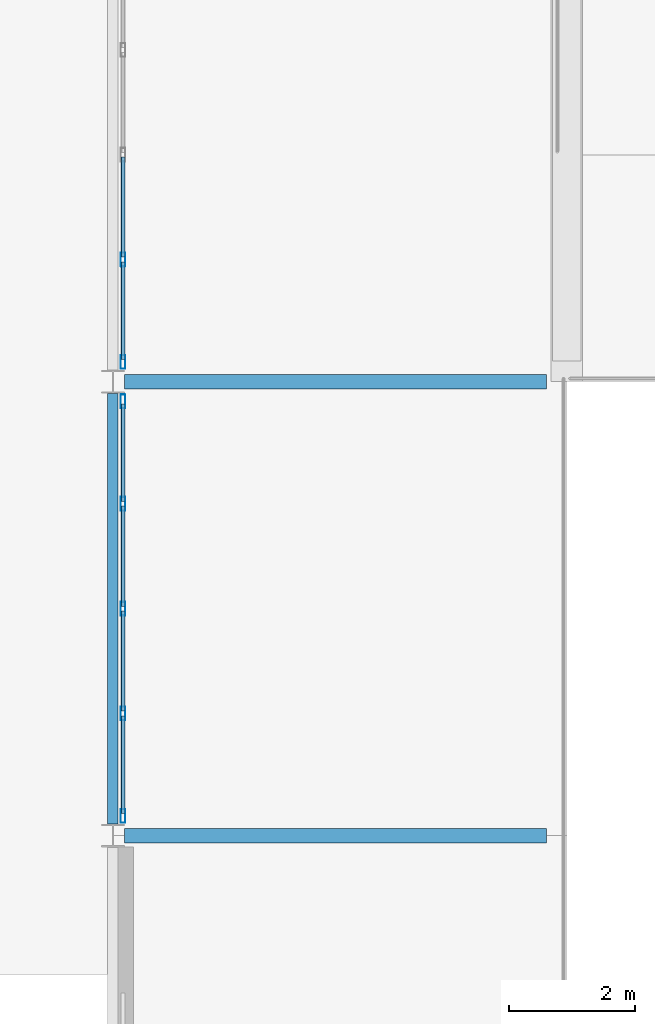
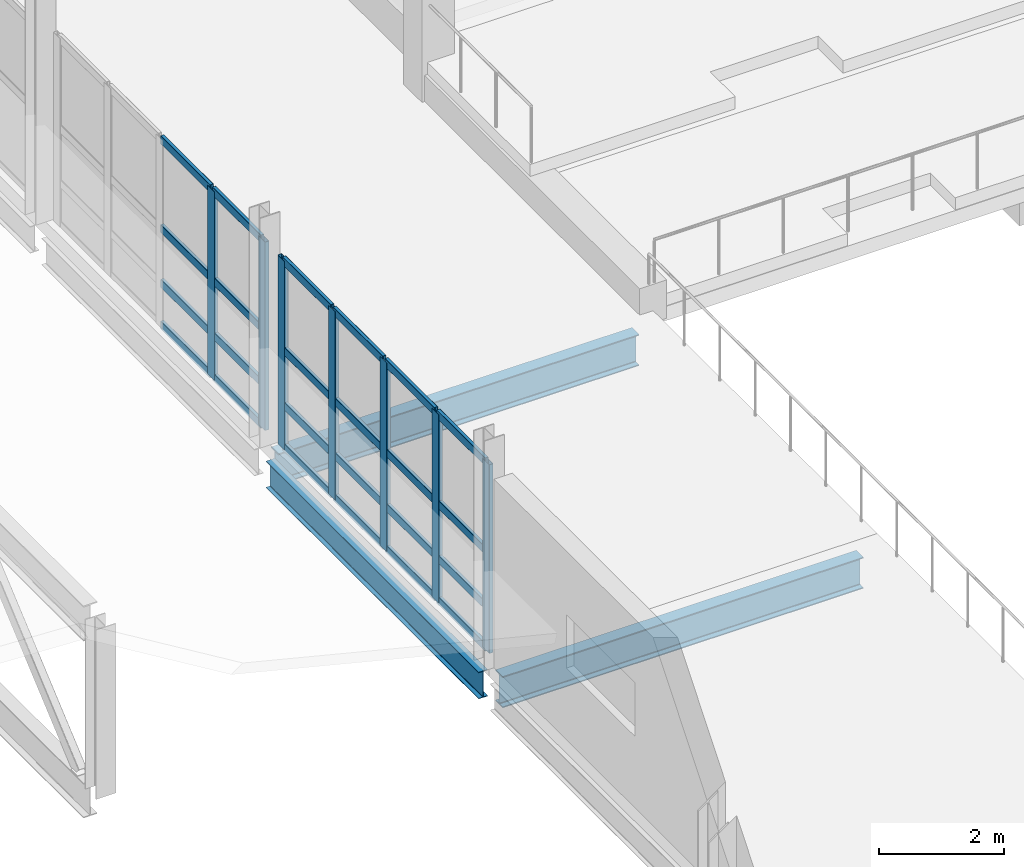
# One storey, part 37 of 123: 31 members, 3 beams, 2 elements without a shape of their own.
"""IFC4 building model written with IfcOpenShell, lengths in metres."""

from ifc_helpers import new_model, si_unit, direction, frame, origin, origin_2d, place, context, subcontext, project, spatial, hollow_rectangle, i_section, extrude, material, material_profile, profile_set, type_object, element, aggregate, save


model = new_model("IFC4")

# Units and contexts
model_context = context("Model", 3, precision=1e-05, world=origin(), true_north=direction((0.0, 1.0)))
body_context = subcontext(model_context, "Body", "Model", "MODEL_VIEW")
ifc_project = project(units=[si_unit("LENGTHUNIT", "METRE"), si_unit("AREAUNIT", "SQUARE_METRE"), si_unit("VOLUMEUNIT", "CUBIC_METRE"), si_unit("PLANEANGLEUNIT", "RADIAN"), si_unit("MASSUNIT", "GRAM", prefix="KILO")], contexts=[model_context])

# Site, building, storey
site_placement = place(None, origin())
site = spatial("IfcSite", under=ifc_project, at=site_placement, CompositionType="ELEMENT")
building_placement = place(site_placement, origin())
building = spatial("IfcBuilding", under=site, at=building_placement, Name="Kalmorath City Hall", CompositionType="ELEMENT")
storey_placement = place(building_placement, frame((0.0, 0.0, 10.199951171875)))
storey = spatial("IfcBuildingStorey", under=building, at=storey_placement, Name="L02", CompositionType="ELEMENT", Elevation=10.199951171875)

# Curtain wall, members
ifc_material_1 = material(Name="Anodised aluminium and laminated glass", Category="aluminium")
curtain_wall_type_1 = type_object("IfcCurtainWallType", Name="Unitised hurricane curtain wall 6651x3696 M1800", PredefinedType="NOTDEFINED", material=ifc_material_1)
curtain_wall_1_placement = place(storey_placement, origin())
curtain_wall_1 = element("IfcCurtainWall", 1, at=curtain_wall_1_placement, inside=storey, type_object=curtain_wall_type_1, Name="L02 curtain wall CW-67X37M18 #121", PredefinedType="NOTDEFINED")
ifc_material_2 = material(Name="Anodised aluminium framing", Category="aluminium")
ifc_material_profile_1 = material_profile(ifc_material_2, hollow_rectangle(XDim=0.074951171875, YDim=0.219970703125, WallThickness=0.00390625, InnerFilletRadius=0.00390625, OuterFilletRadius=0.008056640625, at=origin_2d()), Name="ALU-MUL-220X75X4")
ifc_profile_set_1 = profile_set([ifc_material_profile_1], Name="Anodised aluminium framing")
member_type_1 = type_object("IfcMemberType", Name="Curtain-wall primary mullion 220x75", PredefinedType="MULLION", material=ifc_profile_set_1)
member_1_placement = place(storey_placement, frame((115.360107421875, 21.912109375, 0.0), z_axis=(0.0, 0.0, 1.0), x_axis=(-1.0, 0.0, 0.0)))
member_1 = element("IfcMember", 2, at=member_1_placement, type_object=member_type_1, Name="CW-67X37M18 mullion 1", PredefinedType="MULLION", context=body_context, shape_type="SweptSolid", body=[
    extrude(hollow_rectangle(XDim=0.074951171875, YDim=0.219970703125, WallThickness=0.00390625, InnerFilletRadius=0.00390625, OuterFilletRadius=0.008056640625, at=origin_2d()), origin(), (0.0, 0.0, 1.0), 3.696044921875),
])
member_2_placement = place(storey_placement, frame((115.360107421875, 23.537353515625, 0.0), z_axis=(0.0, 0.0, 1.0), x_axis=(-1.0, 0.0, 0.0)))
member_2 = element("IfcMember", 3, at=member_2_placement, type_object=member_type_1, Name="CW-67X37M18 mullion 2", PredefinedType="MULLION", context=body_context, shape_type="SweptSolid", body=[
    extrude(hollow_rectangle(XDim=0.074951171875, YDim=0.219970703125, WallThickness=0.00390625, InnerFilletRadius=0.00390625, OuterFilletRadius=0.008056640625, at=origin_2d()), origin(), (0.0, 0.0, 1.0), 3.696044921875),
])
member_3_placement = place(storey_placement, frame((115.360107421875, 25.199951171875, 0.0), z_axis=(0.0, 0.0, 1.0), x_axis=(-1.0, 0.0, 0.0)))
member_3 = element("IfcMember", 4, at=member_3_placement, type_object=member_type_1, Name="CW-67X37M18 mullion 3", PredefinedType="MULLION", context=body_context, shape_type="SweptSolid", body=[
    extrude(hollow_rectangle(XDim=0.074951171875, YDim=0.219970703125, WallThickness=0.00390625, InnerFilletRadius=0.00390625, OuterFilletRadius=0.008056640625, at=origin_2d()), origin(), (0.0, 0.0, 1.0), 3.696044921875),
])
member_4_placement = place(storey_placement, frame((115.360107421875, 26.86279296875, 0.0), z_axis=(0.0, 0.0, 1.0), x_axis=(-1.0, 0.0, 0.0)))
member_4 = element("IfcMember", 5, at=member_4_placement, type_object=member_type_1, Name="CW-67X37M18 mullion 4", PredefinedType="MULLION", context=body_context, shape_type="SweptSolid", body=[
    extrude(hollow_rectangle(XDim=0.074951171875, YDim=0.219970703125, WallThickness=0.00390625, InnerFilletRadius=0.00390625, OuterFilletRadius=0.008056640625, at=origin_2d()), origin(), (0.0, 0.0, 1.0), 3.696044921875),
])
member_5_placement = place(storey_placement, frame((115.360107421875, 28.488037109375, 0.0), z_axis=(0.0, 0.0, 1.0), x_axis=(-1.0, 0.0, 0.0)))
member_5 = element("IfcMember", 6, at=member_5_placement, type_object=member_type_1, Name="CW-67X37M18 mullion 5", PredefinedType="MULLION", context=body_context, shape_type="SweptSolid", body=[
    extrude(hollow_rectangle(XDim=0.074951171875, YDim=0.219970703125, WallThickness=0.00390625, InnerFilletRadius=0.00390625, OuterFilletRadius=0.008056640625, at=origin_2d()), origin(), (0.0, 0.0, 1.0), 3.696044921875),
])

ifc_material_3 = material(Name="Anodised aluminium and laminated glass", Category="aluminium")
curtain_wall_type_2 = type_object("IfcCurtainWallType", Name="Unitised hurricane curtain wall 6651x3696 M1500", PredefinedType="NOTDEFINED", material=ifc_material_3)
curtain_wall_2_placement = place(storey_placement, origin())
curtain_wall_2 = element("IfcCurtainWall", 7, at=curtain_wall_2_placement, inside=storey, type_object=curtain_wall_type_2, Name="L02 curtain wall CW-67X37M15 #122", PredefinedType="NOTDEFINED")
member_6_placement = place(storey_placement, frame((115.360107421875, 29.112060546875, 0.0), z_axis=(0.0, 0.0, 1.0), x_axis=(-1.0, 0.0, 0.0)))
member_6 = element("IfcMember", 8, at=member_6_placement, type_object=member_type_1, Name="CW-67X37M15 mullion 1", PredefinedType="MULLION", context=body_context, shape_type="SweptSolid", body=[
    extrude(hollow_rectangle(XDim=0.074951171875, YDim=0.219970703125, WallThickness=0.00390625, InnerFilletRadius=0.00390625, OuterFilletRadius=0.008056640625, at=origin_2d()), origin(), (0.0, 0.0, 1.0), 3.696044921875),
])
member_7_placement = place(storey_placement, frame((115.360107421875, 30.7373046875, 0.0), z_axis=(0.0, 0.0, 1.0), x_axis=(-1.0, 0.0, 0.0)))
member_7 = element("IfcMember", 9, at=member_7_placement, type_object=member_type_1, Name="CW-67X37M15 mullion 2", PredefinedType="MULLION", context=body_context, shape_type="SweptSolid", body=[
    extrude(hollow_rectangle(XDim=0.074951171875, YDim=0.219970703125, WallThickness=0.00390625, InnerFilletRadius=0.00390625, OuterFilletRadius=0.008056640625, at=origin_2d()), origin(), (0.0, 0.0, 1.0), 3.696044921875),
])

# Member
ifc_material_4 = material(Name="Anodised aluminium framing", Category="aluminium")
ifc_material_profile_2 = material_profile(ifc_material_4, hollow_rectangle(XDim=0.06494140625, YDim=0.159912109375, WallThickness=0.00390625, InnerFilletRadius=0.00390625, OuterFilletRadius=0.008056640625, at=origin_2d()), Name="ALU-TRN-160X65X4")
ifc_profile_set_2 = profile_set([ifc_material_profile_2], Name="Anodised aluminium framing")
member_type_2 = type_object("IfcMemberType", Name="Curtain-wall primary transom 160x65", PredefinedType="USERDEFINED", material=ifc_profile_set_2)
member_8_placement = place(storey_placement, frame((115.360107421875, 21.949462890625, 0.032470703125), z_axis=(0.0, 1.0, 0.0), x_axis=(-1.0, 0.0, 0.0)))
member_8 = element("IfcMember", 10, at=member_8_placement, type_object=member_type_2, Name="CW-67X37M18 transom 1.1", ObjectType="TRANSOM", PredefinedType="USERDEFINED", context=body_context, shape_type="SweptSolid", body=[
    extrude(hollow_rectangle(XDim=0.06494140625, YDim=0.159912109375, WallThickness=0.00390625, InnerFilletRadius=0.00390625, OuterFilletRadius=0.008056640625, at=origin_2d()), origin(), (0.0, 0.0, 1.0), 1.55029296875),
])

member_9_placement = place(storey_placement, frame((115.360107421875, 21.949462890625, 0.85009765625), z_axis=(0.0, 1.0, 0.0), x_axis=(-1.0, 0.0, 0.0)))
member_9 = element("IfcMember", 11, at=member_9_placement, type_object=member_type_2, Name="CW-67X37M18 transom 1.2", ObjectType="TRANSOM", PredefinedType="USERDEFINED", context=body_context, shape_type="SweptSolid", body=[
    extrude(hollow_rectangle(XDim=0.06494140625, YDim=0.159912109375, WallThickness=0.00390625, InnerFilletRadius=0.00390625, OuterFilletRadius=0.008056640625, at=origin_2d()), origin(), (0.0, 0.0, 1.0), 1.55029296875),
])

member_10_placement = place(storey_placement, frame((115.360107421875, 21.949462890625, 1.922119140625), z_axis=(0.0, 1.0, 0.0), x_axis=(-1.0, 0.0, 0.0)))
member_10 = element("IfcMember", 12, at=member_10_placement, type_object=member_type_2, Name="CW-67X37M18 transom 1.3", ObjectType="TRANSOM", PredefinedType="USERDEFINED", context=body_context, shape_type="SweptSolid", body=[
    extrude(hollow_rectangle(XDim=0.06494140625, YDim=0.159912109375, WallThickness=0.00390625, InnerFilletRadius=0.00390625, OuterFilletRadius=0.008056640625, at=origin_2d()), origin(), (0.0, 0.0, 1.0), 1.55029296875),
])

member_11_placement = place(storey_placement, frame((115.360107421875, 21.949462890625, 3.66357421875), z_axis=(0.0, 1.0, 0.0), x_axis=(-1.0, 0.0, 0.0)))
member_11 = element("IfcMember", 13, at=member_11_placement, type_object=member_type_2, Name="CW-67X37M18 transom 1.4", ObjectType="TRANSOM", PredefinedType="USERDEFINED", context=body_context, shape_type="SweptSolid", body=[
    extrude(hollow_rectangle(XDim=0.06494140625, YDim=0.159912109375, WallThickness=0.00390625, InnerFilletRadius=0.00390625, OuterFilletRadius=0.008056640625, at=origin_2d()), origin(), (0.0, 0.0, 1.0), 1.55029296875),
])

member_12_placement = place(storey_placement, frame((115.360107421875, 23.57470703125, 0.032470703125), z_axis=(0.0, 1.0, 0.0), x_axis=(-1.0, 0.0, 0.0)))
member_12 = element("IfcMember", 14, at=member_12_placement, type_object=member_type_2, Name="CW-67X37M18 transom 2.1", ObjectType="TRANSOM", PredefinedType="USERDEFINED", context=body_context, shape_type="SweptSolid", body=[
    extrude(hollow_rectangle(XDim=0.06494140625, YDim=0.159912109375, WallThickness=0.00390625, InnerFilletRadius=0.00390625, OuterFilletRadius=0.008056640625, at=origin_2d()), origin(), (0.0, 0.0, 1.0), 1.587890625),
])

member_13_placement = place(storey_placement, frame((115.360107421875, 23.57470703125, 0.85009765625), z_axis=(0.0, 1.0, 0.0), x_axis=(-1.0, 0.0, 0.0)))
member_13 = element("IfcMember", 15, at=member_13_placement, type_object=member_type_2, Name="CW-67X37M18 transom 2.2", ObjectType="TRANSOM", PredefinedType="USERDEFINED", context=body_context, shape_type="SweptSolid", body=[
    extrude(hollow_rectangle(XDim=0.06494140625, YDim=0.159912109375, WallThickness=0.00390625, InnerFilletRadius=0.00390625, OuterFilletRadius=0.008056640625, at=origin_2d()), origin(), (0.0, 0.0, 1.0), 1.587890625),
])

member_14_placement = place(storey_placement, frame((115.360107421875, 23.57470703125, 1.922119140625), z_axis=(0.0, 1.0, 0.0), x_axis=(-1.0, 0.0, 0.0)))
member_14 = element("IfcMember", 16, at=member_14_placement, type_object=member_type_2, Name="CW-67X37M18 transom 2.3", ObjectType="TRANSOM", PredefinedType="USERDEFINED", context=body_context, shape_type="SweptSolid", body=[
    extrude(hollow_rectangle(XDim=0.06494140625, YDim=0.159912109375, WallThickness=0.00390625, InnerFilletRadius=0.00390625, OuterFilletRadius=0.008056640625, at=origin_2d()), origin(), (0.0, 0.0, 1.0), 1.587890625),
])

member_15_placement = place(storey_placement, frame((115.360107421875, 23.57470703125, 3.66357421875), z_axis=(0.0, 1.0, 0.0), x_axis=(-1.0, 0.0, 0.0)))
member_15 = element("IfcMember", 17, at=member_15_placement, type_object=member_type_2, Name="CW-67X37M18 transom 2.4", ObjectType="TRANSOM", PredefinedType="USERDEFINED", context=body_context, shape_type="SweptSolid", body=[
    extrude(hollow_rectangle(XDim=0.06494140625, YDim=0.159912109375, WallThickness=0.00390625, InnerFilletRadius=0.00390625, OuterFilletRadius=0.008056640625, at=origin_2d()), origin(), (0.0, 0.0, 1.0), 1.587890625),
])

member_16_placement = place(storey_placement, frame((115.360107421875, 25.237548828125, 0.032470703125), z_axis=(0.0, 1.0, 0.0), x_axis=(-1.0, 0.0, 0.0)))
member_16 = element("IfcMember", 18, at=member_16_placement, type_object=member_type_2, Name="CW-67X37M18 transom 3.1", ObjectType="TRANSOM", PredefinedType="USERDEFINED", context=body_context, shape_type="SweptSolid", body=[
    extrude(hollow_rectangle(XDim=0.06494140625, YDim=0.159912109375, WallThickness=0.00390625, InnerFilletRadius=0.00390625, OuterFilletRadius=0.008056640625, at=origin_2d()), origin(), (0.0, 0.0, 1.0), 1.587646484375),
])

member_17_placement = place(storey_placement, frame((115.360107421875, 25.237548828125, 0.85009765625), z_axis=(0.0, 1.0, 0.0), x_axis=(-1.0, 0.0, 0.0)))
member_17 = element("IfcMember", 19, at=member_17_placement, type_object=member_type_2, Name="CW-67X37M18 transom 3.2", ObjectType="TRANSOM", PredefinedType="USERDEFINED", context=body_context, shape_type="SweptSolid", body=[
    extrude(hollow_rectangle(XDim=0.06494140625, YDim=0.159912109375, WallThickness=0.00390625, InnerFilletRadius=0.00390625, OuterFilletRadius=0.008056640625, at=origin_2d()), origin(), (0.0, 0.0, 1.0), 1.587646484375),
])

member_18_placement = place(storey_placement, frame((115.360107421875, 25.237548828125, 1.922119140625), z_axis=(0.0, 1.0, 0.0), x_axis=(-1.0, 0.0, 0.0)))
member_18 = element("IfcMember", 20, at=member_18_placement, type_object=member_type_2, Name="CW-67X37M18 transom 3.3", ObjectType="TRANSOM", PredefinedType="USERDEFINED", context=body_context, shape_type="SweptSolid", body=[
    extrude(hollow_rectangle(XDim=0.06494140625, YDim=0.159912109375, WallThickness=0.00390625, InnerFilletRadius=0.00390625, OuterFilletRadius=0.008056640625, at=origin_2d()), origin(), (0.0, 0.0, 1.0), 1.587646484375),
])

member_19_placement = place(storey_placement, frame((115.360107421875, 25.237548828125, 3.66357421875), z_axis=(0.0, 1.0, 0.0), x_axis=(-1.0, 0.0, 0.0)))
member_19 = element("IfcMember", 21, at=member_19_placement, type_object=member_type_2, Name="CW-67X37M18 transom 3.4", ObjectType="TRANSOM", PredefinedType="USERDEFINED", context=body_context, shape_type="SweptSolid", body=[
    extrude(hollow_rectangle(XDim=0.06494140625, YDim=0.159912109375, WallThickness=0.00390625, InnerFilletRadius=0.00390625, OuterFilletRadius=0.008056640625, at=origin_2d()), origin(), (0.0, 0.0, 1.0), 1.587646484375),
])

member_20_placement = place(storey_placement, frame((115.360107421875, 26.900146484375, 0.032470703125), z_axis=(0.0, 1.0, 0.0), x_axis=(-1.0, 0.0, 0.0)))
member_20 = element("IfcMember", 22, at=member_20_placement, type_object=member_type_2, Name="CW-67X37M18 transom 4.1", ObjectType="TRANSOM", PredefinedType="USERDEFINED", context=body_context, shape_type="SweptSolid", body=[
    extrude(hollow_rectangle(XDim=0.06494140625, YDim=0.159912109375, WallThickness=0.00390625, InnerFilletRadius=0.00390625, OuterFilletRadius=0.008056640625, at=origin_2d()), origin(), (0.0, 0.0, 1.0), 1.55029296875),
])

member_21_placement = place(storey_placement, frame((115.360107421875, 26.900146484375, 0.85009765625), z_axis=(0.0, 1.0, 0.0), x_axis=(-1.0, 0.0, 0.0)))
member_21 = element("IfcMember", 23, at=member_21_placement, type_object=member_type_2, Name="CW-67X37M18 transom 4.2", ObjectType="TRANSOM", PredefinedType="USERDEFINED", context=body_context, shape_type="SweptSolid", body=[
    extrude(hollow_rectangle(XDim=0.06494140625, YDim=0.159912109375, WallThickness=0.00390625, InnerFilletRadius=0.00390625, OuterFilletRadius=0.008056640625, at=origin_2d()), origin(), (0.0, 0.0, 1.0), 1.55029296875),
])

member_22_placement = place(storey_placement, frame((115.360107421875, 26.900146484375, 1.922119140625), z_axis=(0.0, 1.0, 0.0), x_axis=(-1.0, 0.0, 0.0)))
member_22 = element("IfcMember", 24, at=member_22_placement, type_object=member_type_2, Name="CW-67X37M18 transom 4.3", ObjectType="TRANSOM", PredefinedType="USERDEFINED", context=body_context, shape_type="SweptSolid", body=[
    extrude(hollow_rectangle(XDim=0.06494140625, YDim=0.159912109375, WallThickness=0.00390625, InnerFilletRadius=0.00390625, OuterFilletRadius=0.008056640625, at=origin_2d()), origin(), (0.0, 0.0, 1.0), 1.55029296875),
])

member_23_placement = place(storey_placement, frame((115.360107421875, 26.900146484375, 3.66357421875), z_axis=(0.0, 1.0, 0.0), x_axis=(-1.0, 0.0, 0.0)))
member_23 = element("IfcMember", 25, at=member_23_placement, type_object=member_type_2, Name="CW-67X37M18 transom 4.4", ObjectType="TRANSOM", PredefinedType="USERDEFINED", context=body_context, shape_type="SweptSolid", body=[
    extrude(hollow_rectangle(XDim=0.06494140625, YDim=0.159912109375, WallThickness=0.00390625, InnerFilletRadius=0.00390625, OuterFilletRadius=0.008056640625, at=origin_2d()), origin(), (0.0, 0.0, 1.0), 1.55029296875),
])

aggregate(curtain_wall_1, [member_1, member_2, member_3, member_4, member_5, member_8, member_9, member_10, member_11, member_12, member_13, member_14, member_15, member_16, member_17, member_18, member_19, member_20, member_21, member_22, member_23])

member_24_placement = place(storey_placement, frame((115.360107421875, 29.1494140625, 0.032470703125), z_axis=(0.0, 1.0, 0.0), x_axis=(-1.0, 0.0, 0.0)))
member_24 = element("IfcMember", 26, at=member_24_placement, type_object=member_type_2, Name="CW-67X37M15 transom 1.1", ObjectType="TRANSOM", PredefinedType="USERDEFINED", context=body_context, shape_type="SweptSolid", body=[
    extrude(hollow_rectangle(XDim=0.06494140625, YDim=0.159912109375, WallThickness=0.00390625, InnerFilletRadius=0.00390625, OuterFilletRadius=0.008056640625, at=origin_2d()), origin(), (0.0, 0.0, 1.0), 1.55029296875),
])

member_25_placement = place(storey_placement, frame((115.360107421875, 29.1494140625, 0.85009765625), z_axis=(0.0, 1.0, 0.0), x_axis=(-1.0, 0.0, 0.0)))
member_25 = element("IfcMember", 27, at=member_25_placement, type_object=member_type_2, Name="CW-67X37M15 transom 1.2", ObjectType="TRANSOM", PredefinedType="USERDEFINED", context=body_context, shape_type="SweptSolid", body=[
    extrude(hollow_rectangle(XDim=0.06494140625, YDim=0.159912109375, WallThickness=0.00390625, InnerFilletRadius=0.00390625, OuterFilletRadius=0.008056640625, at=origin_2d()), origin(), (0.0, 0.0, 1.0), 1.55029296875),
])

member_26_placement = place(storey_placement, frame((115.360107421875, 29.1494140625, 1.922119140625), z_axis=(0.0, 1.0, 0.0), x_axis=(-1.0, 0.0, 0.0)))
member_26 = element("IfcMember", 28, at=member_26_placement, type_object=member_type_2, Name="CW-67X37M15 transom 1.3", ObjectType="TRANSOM", PredefinedType="USERDEFINED", context=body_context, shape_type="SweptSolid", body=[
    extrude(hollow_rectangle(XDim=0.06494140625, YDim=0.159912109375, WallThickness=0.00390625, InnerFilletRadius=0.00390625, OuterFilletRadius=0.008056640625, at=origin_2d()), origin(), (0.0, 0.0, 1.0), 1.55029296875),
])

member_27_placement = place(storey_placement, frame((115.360107421875, 29.1494140625, 3.66357421875), z_axis=(0.0, 1.0, 0.0), x_axis=(-1.0, 0.0, 0.0)))
member_27 = element("IfcMember", 29, at=member_27_placement, type_object=member_type_2, Name="CW-67X37M15 transom 1.4", ObjectType="TRANSOM", PredefinedType="USERDEFINED", context=body_context, shape_type="SweptSolid", body=[
    extrude(hollow_rectangle(XDim=0.06494140625, YDim=0.159912109375, WallThickness=0.00390625, InnerFilletRadius=0.00390625, OuterFilletRadius=0.008056640625, at=origin_2d()), origin(), (0.0, 0.0, 1.0), 1.55029296875),
])

member_28_placement = place(storey_placement, frame((115.360107421875, 30.774658203125, 0.032470703125), z_axis=(0.0, 1.0, 0.0), x_axis=(-1.0, 0.0, 0.0)))
member_28 = element("IfcMember", 30, at=member_28_placement, type_object=member_type_2, Name="CW-67X37M15 transom 2.1", ObjectType="TRANSOM", PredefinedType="USERDEFINED", context=body_context, shape_type="SweptSolid", body=[
    extrude(hollow_rectangle(XDim=0.06494140625, YDim=0.159912109375, WallThickness=0.00390625, InnerFilletRadius=0.00390625, OuterFilletRadius=0.008056640625, at=origin_2d()), origin(), (0.0, 0.0, 1.0), 1.587890625),
])

member_29_placement = place(storey_placement, frame((115.360107421875, 30.774658203125, 0.85009765625), z_axis=(0.0, 1.0, 0.0), x_axis=(-1.0, 0.0, 0.0)))
member_29 = element("IfcMember", 31, at=member_29_placement, type_object=member_type_2, Name="CW-67X37M15 transom 2.2", ObjectType="TRANSOM", PredefinedType="USERDEFINED", context=body_context, shape_type="SweptSolid", body=[
    extrude(hollow_rectangle(XDim=0.06494140625, YDim=0.159912109375, WallThickness=0.00390625, InnerFilletRadius=0.00390625, OuterFilletRadius=0.008056640625, at=origin_2d()), origin(), (0.0, 0.0, 1.0), 1.587890625),
])

member_30_placement = place(storey_placement, frame((115.360107421875, 30.774658203125, 1.922119140625), z_axis=(0.0, 1.0, 0.0), x_axis=(-1.0, 0.0, 0.0)))
member_30 = element("IfcMember", 32, at=member_30_placement, type_object=member_type_2, Name="CW-67X37M15 transom 2.3", ObjectType="TRANSOM", PredefinedType="USERDEFINED", context=body_context, shape_type="SweptSolid", body=[
    extrude(hollow_rectangle(XDim=0.06494140625, YDim=0.159912109375, WallThickness=0.00390625, InnerFilletRadius=0.00390625, OuterFilletRadius=0.008056640625, at=origin_2d()), origin(), (0.0, 0.0, 1.0), 1.587890625),
])

member_31_placement = place(storey_placement, frame((115.360107421875, 30.774658203125, 3.66357421875), z_axis=(0.0, 1.0, 0.0), x_axis=(-1.0, 0.0, 0.0)))
member_31 = element("IfcMember", 33, at=member_31_placement, type_object=member_type_2, Name="CW-67X37M15 transom 2.4", ObjectType="TRANSOM", PredefinedType="USERDEFINED", context=body_context, shape_type="SweptSolid", body=[
    extrude(hollow_rectangle(XDim=0.06494140625, YDim=0.159912109375, WallThickness=0.00390625, InnerFilletRadius=0.00390625, OuterFilletRadius=0.008056640625, at=origin_2d()), origin(), (0.0, 0.0, 1.0), 1.587890625),
])

aggregate(curtain_wall_2, [member_6, member_7, member_24, member_25, member_26, member_27, member_28, member_29, member_30, member_31])

# Beams
ifc_material_5 = material(Name="Steel ASTM A992 Grade 50", Category="steel")
ifc_material_profile_3 = material_profile(ifc_material_5, i_section(OverallWidth=0.22900390625, OverallDepth=0.612060546875, WebThickness=0.011962890625, FlangeThickness=0.01953125, FilletRadius=0.01611328125, at=origin_2d()), Name="W24X84")
ifc_profile_set_3 = profile_set([ifc_material_profile_3], Name="Steel ASTM A992 Grade 50")
beam_type_1 = type_object("IfcBeamType", Name="Steel floor girder W24X84", PredefinedType="BEAM", material=ifc_profile_set_3)
for number, where, z_axis, x_axis, name in (
    (34, (115.386962890625, 21.60009765625, -0.58984375), (1.0, 0.0, 0.0), (0.0, 1.0, 0.0), "L02 girder SG8 X17-18/4"),
    (35, (115.386962890625, 28.800048828125, -0.58984375), (1.0, 0.0, 0.0), (0.0, 1.0, 0.0), "L02 girder SG8 X17-18/5"),
):
    element("IfcBeam", number, at=place(storey_placement, frame(where, z_axis=z_axis, x_axis=x_axis)), inside=storey, type_object=beam_type_1, Name=name, PredefinedType="BEAM", context=body_context, shape_type="SweptSolid", body=[
        extrude(i_section(OverallWidth=0.22900390625, OverallDepth=0.612060546875, WebThickness=0.011962890625, FlangeThickness=0.01953125, FilletRadius=0.01611328125, at=origin_2d()), origin(), (0.0, 0.0, 1.0), 6.68798828125),
    ])
ifc_material_6 = material(Name="Steel ASTM A992 Grade 50", Category="steel")
ifc_material_profile_4 = material_profile(ifc_material_6, i_section(OverallWidth=0.1650390625, OverallDepth=0.52490234375, WebThickness=0.0087890625, FlangeThickness=0.011474609375, FilletRadius=0.014892578125, at=origin_2d()), Name="W21X44")
ifc_profile_set_4 = profile_set([ifc_material_profile_4], Name="Steel ASTM A992 Grade 50")
beam_type_2 = type_object("IfcBeamType", Name="Steel spandrel beam W21X44", PredefinedType="SPANDREL", material=ifc_profile_set_4)
beam_placement = place(storey_placement, frame((115.199951171875, 21.785888671875, -0.54638671875), z_axis=(0.0, 1.0, 0.0), x_axis=(-1.0, 0.0, 0.0)))
element("IfcBeam", 36, at=beam_placement, inside=storey, type_object=beam_type_2, Name="L02 girder SB4 Y17/4-5", PredefinedType="SPANDREL", context=body_context, shape_type="SweptSolid", body=[
    extrude(i_section(OverallWidth=0.1650390625, OverallDepth=0.52490234375, WebThickness=0.0087890625, FlangeThickness=0.011474609375, FilletRadius=0.014892578125, at=origin_2d()), origin(), (0.0, 0.0, 1.0), 6.828125),
])

save(model, "model.ifc")
